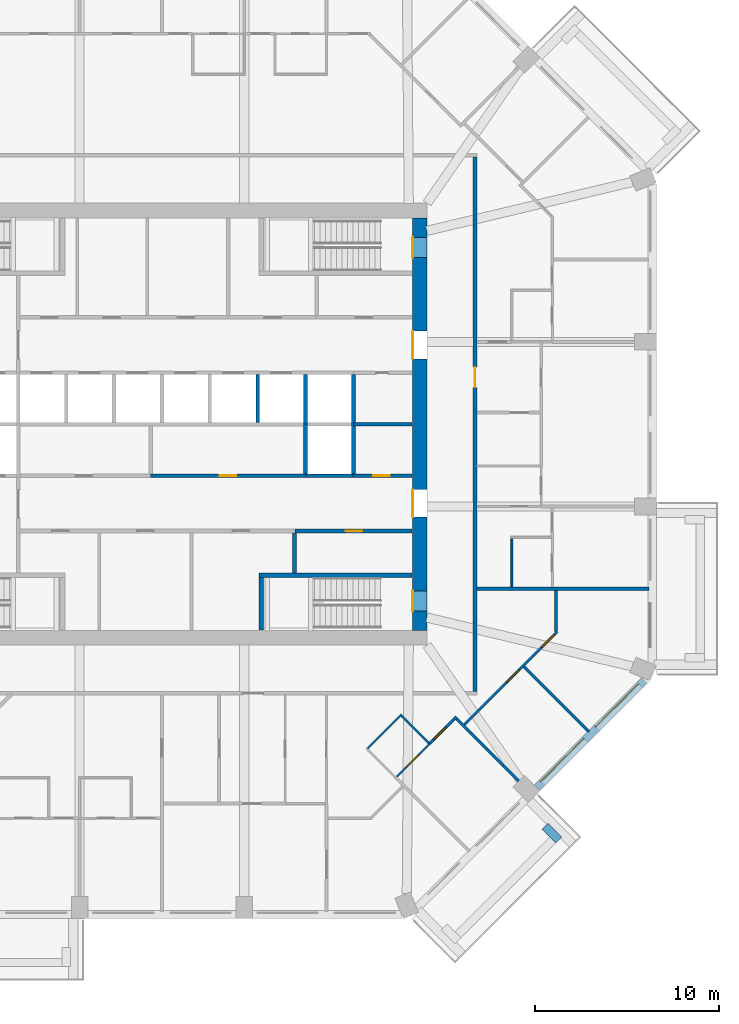
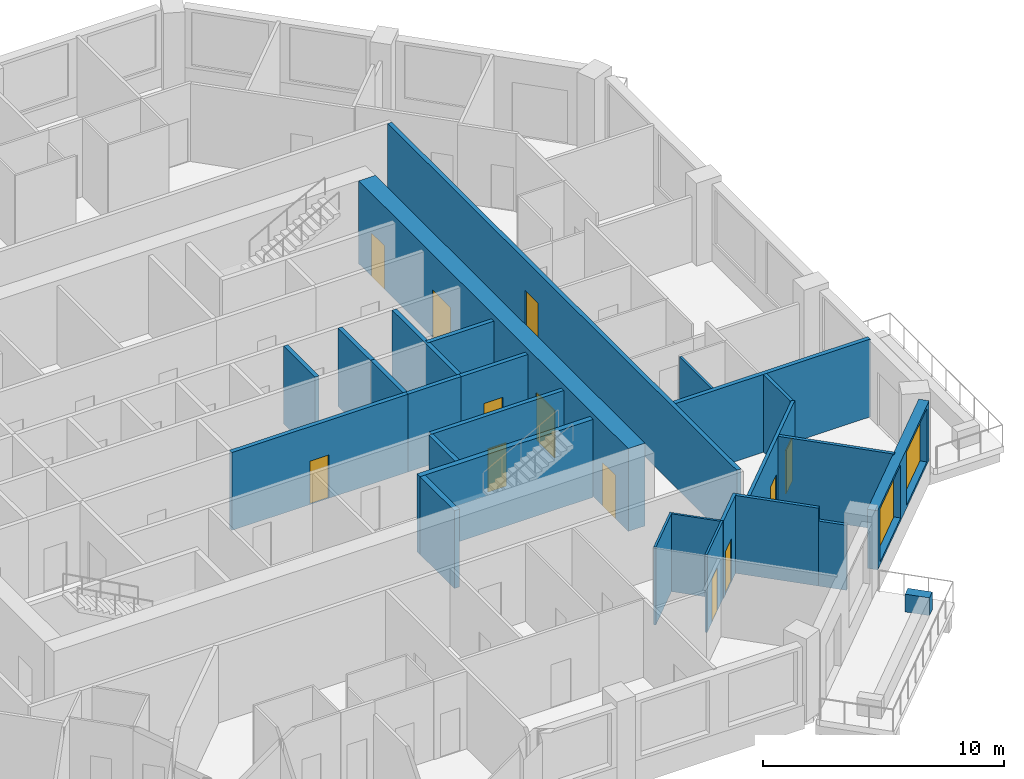
# One storey, part 6 of 12: 27 walls, 12 doors, 2 windows, 14 openings.
"""IFC4 building model written with IfcOpenShell, lengths in metres."""

from ifc_helpers import new_model, si_unit, direction, frame, frame_2d, origin, place, context, subcontext, project, spatial, rectangle, extrude, material, layer, layer_set, type_object, element, fill, save


model = new_model("IFC4")

# Units and contexts
model_context = context("Model", 3, precision=1e-05, world=origin(), true_north=direction((0.0, 1.0)))
body_context = subcontext(model_context, "Body", "Model", "MODEL_VIEW")
ifc_project = project(units=[si_unit("LENGTHUNIT", "METRE"), si_unit("AREAUNIT", "SQUARE_METRE"), si_unit("VOLUMEUNIT", "CUBIC_METRE"), si_unit("PLANEANGLEUNIT", "RADIAN"), si_unit("MASSUNIT", "GRAM", prefix="KILO")], contexts=[model_context])

# Site, building, storey
site_placement = place(None, origin())
site = spatial("IfcSite", under=ifc_project, at=site_placement, CompositionType="ELEMENT")
building_placement = place(site_placement, origin())
building = spatial("IfcBuilding", under=site, at=building_placement, Name="Msitu Wima Residences", CompositionType="ELEMENT")
storey_placement = place(building_placement, frame((0.0, 0.0, 127.5)))
storey = spatial("IfcBuildingStorey", under=building, at=storey_placement, Name="L29", CompositionType="ELEMENT", Elevation=127.5)

# Wall
ifc_material_1 = material(Name="Facing brick")
ifc_layer_1 = layer(ifc_material_1, 0.06494140625, Name="Facing brick")
ifc_material_2 = material(Name="Concrete C40/50", Category="concrete")
ifc_layer_2 = layer(ifc_material_2, 0.156005859375, Name="Concrete C40/50")
ifc_material_3 = material(Name="Waterproofing membrane")
ifc_layer_3 = layer(ifc_material_3, 0.00390625, Name="Waterproofing membrane")
ifc_material_4 = material(Name="Planting soil and planting")
ifc_layer_4 = layer(ifc_material_4, 0.22509765625, Name="Planting soil and planting")
ifc_layer_set_1 = layer_set([ifc_layer_1, ifc_layer_2, ifc_layer_3, ifc_layer_4], Name="Concrete C40/50")
wall_type_1 = type_object("IfcWallType", Name="Balcony planter PLANTER PL450", PredefinedType="USERDEFINED", material=ifc_layer_set_1)
wall_1_placement = place(storey_placement, frame((20.804443359375, -21.829833984375, 0.0), z_axis=(0.0, 0.0, 1.0), x_axis=(0.707106781187, -0.707106781187, 0.0)))
element("IfcWall", 1, at=wall_1_placement, inside=storey, type_object=wall_type_1, Name="Balcony planter SE0 L29", ObjectType="PLANTER", PredefinedType="USERDEFINED", context=body_context, shape_type="SweptSolid", body=[
    extrude(rectangle(XDim=1.050048828125, YDim=0.449951171875, at=frame_2d((0.52490234375, 0.0))), origin(), (0.0, 0.0, 1.0), 0.89990234375),
])

# Wall, openings, windows
ifc_material_5 = material(Name="Brick (red buff mix)", Category="masonry")
ifc_layer_5 = layer(ifc_material_5, 0.449951171875)
ifc_layer_set_2 = layer_set([ifc_layer_5], Name="Brick (red buff mix)")
wall_type_2 = type_object("IfcWallType", Name="Brick infill wall BW450", PredefinedType="SOLIDWALL", material=ifc_layer_set_2)
wall_2_placement = place(storey_placement, frame((20.380126953125, -19.743896484375, 0.89990234375), z_axis=(0.0, 0.0, 1.0), x_axis=(0.707106781187, 0.707106781187, 0.0)))
wall_2 = element("IfcWall", 2, at=wall_2_placement, inside=storey, type_object=wall_type_2, Name="Brick infill wall L29 SE1", PredefinedType="SOLIDWALL", context=body_context, shape_type="SweptSolid", body=[
    extrude(rectangle(XDim=8.251220703125, YDim=0.449951171875, at=frame_2d((4.12548828125, 0.0))), origin(), (0.0, 0.0, 1.0), 3.0),
])
opening_1_placement = place(wall_2_placement, frame((0.37548828125, 0.0, 0.14990234375)))
opening_1 = element("IfcOpeningElement", 3, at=opening_1_placement, cuts=wall_2, Name="Opening W27-29.023", PredefinedType="OPENING", context=body_context, shape_type="SweptSolid", body=[
    extrude(rectangle(XDim=3.300048828125, YDim=2.699951171875, at=frame_2d((1.64990234375, 1.35009765625))), frame((0.0, 0.23486328125, 0.0), z_axis=(0.0, -1.0, 0.0), x_axis=(1.0, 0.0, 0.0)), (0.0, 0.0, 1.0), 0.469970703125),
])
opening_2_placement = place(wall_2_placement, frame((4.57568359375, 0.0, 0.14990234375)))
opening_2 = element("IfcOpeningElement", 4, at=opening_2_placement, cuts=wall_2, Name="Opening W27-29.024", PredefinedType="OPENING", context=body_context, shape_type="SweptSolid", body=[
    extrude(rectangle(XDim=3.300048828125, YDim=2.699951171875, at=frame_2d((1.64990234375, 1.35009765625))), frame((0.0, 0.23486328125, 0.0), z_axis=(0.0, -1.0, 0.0), x_axis=(1.0, 0.0, 0.0)), (0.0, 0.0, 1.0), 0.469970703125),
])
ifc_material_6 = material(Name="Anodised aluminium, bronze finish, clear low-emissivity double glazing", Category="aluminium")
window_type = type_object("IfcWindowType", Name="Window W3300x2700", PartitioningType="DOUBLE_PANEL_VERTICAL", PredefinedType="WINDOW", material=ifc_material_6)
window_1_placement = place(opening_1_placement, origin())
window_1 = element("IfcWindow", 5, at=window_1_placement, inside=storey, type_object=window_type, Name="Window L29 SE1.1", OverallHeight=2.699951171875, OverallWidth=3.300048828125, PartitioningType="SINGLE_PANEL", PredefinedType="WINDOW", context=body_context, shape_type="SweptSolid", body=[
    extrude(rectangle(XDim=3.300048828125, YDim=2.699951171875, at=frame_2d((1.64990234375, 1.35009765625))), frame((0.0, 0.135009765625, 0.0), z_axis=(0.0, -1.0, 0.0), x_axis=(1.0, 0.0, 0.0)), (0.0, 0.0, 1.0), 0.06005859375),
])
fill(opening_1, window_1)
window_2_placement = place(opening_2_placement, origin())
window_2 = element("IfcWindow", 6, at=window_2_placement, inside=storey, type_object=window_type, Name="Window L29 SE1.2", OverallHeight=2.699951171875, OverallWidth=3.300048828125, PartitioningType="SINGLE_PANEL", PredefinedType="WINDOW", context=body_context, shape_type="SweptSolid", body=[
    extrude(rectangle(XDim=3.300048828125, YDim=2.699951171875, at=frame_2d((1.64990234375, 1.35009765625))), frame((0.0, 0.135009765625, 0.0), z_axis=(0.0, -1.0, 0.0), x_axis=(1.0, 0.0, 0.0)), (0.0, 0.0, 1.0), 0.06005859375),
])
fill(opening_2, window_2)

# Wall, openings, doors
ifc_material_7 = material(Name="Concrete C70/85", Category="concrete")
ifc_layer_6 = layer(ifc_material_7, 0.800048828125)
ifc_layer_set_3 = layer_set([ifc_layer_6], Name="Concrete C70/85")
wall_type_3 = type_object("IfcWallType", Name="Core wall CW800 C70/85", PredefinedType="SHEAR", material=ifc_layer_set_3)
wall_3_placement = place(storey_placement, frame((14.0, -11.199951171875, 0.0), z_axis=(0.0, 0.0, 1.0), x_axis=(0.0, 1.0, 0.0)))
wall_3 = element("IfcWall", 7, at=wall_3_placement, inside=storey, type_object=wall_type_3, Name="Core wall", PredefinedType="SHEAR", context=body_context, shape_type="SweptSolid", body=[
    extrude(rectangle(XDim=22.39990234375, YDim=0.800048828125, at=frame_2d((11.199951171875, 0.0))), origin(), (0.0, 0.0, 1.0), 4.199951171875),
])
opening_3_placement = place(wall_3_placement, frame((20.25, 0.0, 0.0)))
opening_3 = element("IfcOpeningElement", 8, at=opening_3_placement, cuts=wall_3, Name="Opening D27-29.035", PredefinedType="OPENING", context=body_context, shape_type="SweptSolid", body=[
    extrude(rectangle(XDim=1.10009765625, YDim=2.199951171875, at=frame_2d((0.550048828125, 1.10009765625))), frame((0.0, 0.409912109375, 0.0), z_axis=(0.0, -1.0, 0.0), x_axis=(1.0, 0.0, 0.0)), (0.0, 0.0, 1.0), 0.820068359375),
])
opening_4_placement = place(wall_3_placement, frame((1.050048828125, 0.0, 0.0)))
opening_4 = element("IfcOpeningElement", 9, at=opening_4_placement, cuts=wall_3, Name="Opening D27-29.036", PredefinedType="OPENING", context=body_context, shape_type="SweptSolid", body=[
    extrude(rectangle(XDim=1.10009765625, YDim=2.199951171875, at=frame_2d((0.550048828125, 1.10009765625))), frame((0.0, 0.409912109375, 0.0), z_axis=(0.0, -1.0, 0.0), x_axis=(1.0, 0.0, 0.0)), (0.0, 0.0, 1.0), 0.820068359375),
])
opening_5_placement = place(wall_3_placement, frame((14.75, 0.0, 0.0)))
opening_5 = element("IfcOpeningElement", 10, at=opening_5_placement, cuts=wall_3, Name="Opening D27-29.025", PredefinedType="OPENING", context=body_context, shape_type="SweptSolid", body=[
    extrude(rectangle(XDim=1.5, YDim=2.39990234375, at=frame_2d((0.75, 1.199951171875))), frame((0.0, 0.409912109375, 0.0), z_axis=(0.0, -1.0, 0.0), x_axis=(1.0, 0.0, 0.0)), (0.0, 0.0, 1.0), 0.820068359375),
])
opening_6_placement = place(wall_3_placement, frame((6.14990234375, 0.0, 0.0)))
opening_6 = element("IfcOpeningElement", 11, at=opening_6_placement, cuts=wall_3, Name="Opening D27-29.026", PredefinedType="OPENING", context=body_context, shape_type="SweptSolid", body=[
    extrude(rectangle(XDim=1.5, YDim=2.39990234375, at=frame_2d((0.75, 1.199951171875))), frame((0.0, 0.409912109375, 0.0), z_axis=(0.0, -1.0, 0.0), x_axis=(1.0, 0.0, 0.0)), (0.0, 0.0, 1.0), 0.820068359375),
])
ifc_material_8 = material(Name="Steel framed glazed door, fire resisting", Category="steel")
door_type_1 = type_object("IfcDoorType", Name="Lobby door D07 1500x2400", OperationType="DOUBLE_DOOR_SINGLE_SWING", PredefinedType="DOOR", material=ifc_material_8)
door_1_placement = place(opening_5_placement, origin())
door_1 = element("IfcDoor", 12, at=door_1_placement, inside=storey, type_object=door_type_1, Name="Lobby door", OperationType="DOUBLE_DOOR_SINGLE_SWING", OverallHeight=2.39990234375, OverallWidth=1.5, PredefinedType="DOOR", context=body_context, shape_type="SweptSolid", body=[
    extrude(rectangle(XDim=1.5, YDim=2.39990234375, at=frame_2d((0.75, 1.199951171875))), frame((0.0, 0.39501953125, 0.0), z_axis=(0.0, -1.0, 0.0), x_axis=(1.0, 0.0, 0.0)), (0.0, 0.0, 1.0), 0.050048828125),
])
fill(opening_5, door_1)
door_2_placement = place(opening_6_placement, origin())
door_2 = element("IfcDoor", 13, at=door_2_placement, inside=storey, type_object=door_type_1, Name="Lobby door", OperationType="DOUBLE_DOOR_SINGLE_SWING", OverallHeight=2.39990234375, OverallWidth=1.5, PredefinedType="DOOR", context=body_context, shape_type="SweptSolid", body=[
    extrude(rectangle(XDim=1.5, YDim=2.39990234375, at=frame_2d((0.75, 1.199951171875))), frame((0.0, 0.39501953125, 0.0), z_axis=(0.0, -1.0, 0.0), x_axis=(1.0, 0.0, 0.0)), (0.0, 0.0, 1.0), 0.050048828125),
])
fill(opening_6, door_2)
ifc_material_9 = material(Name="Steel door, fire resisting, panic bar", Category="steel")
door_type_2 = type_object("IfcDoorType", Name="Stair door D06 1100x2200", OperationType="SINGLE_SWING_LEFT", PredefinedType="DOOR", material=ifc_material_9)
door_3_placement = place(opening_3_placement, origin())
door_3 = element("IfcDoor", 14, at=door_3_placement, inside=storey, type_object=door_type_2, Name="Stair door", OperationType="SINGLE_SWING_LEFT", OverallHeight=2.199951171875, OverallWidth=1.10009765625, PredefinedType="DOOR", context=body_context, shape_type="SweptSolid", body=[
    extrude(rectangle(XDim=1.10009765625, YDim=2.199951171875, at=frame_2d((0.550048828125, 1.10009765625))), frame((0.0, 0.39501953125, 0.0), z_axis=(0.0, -1.0, 0.0), x_axis=(1.0, 0.0, 0.0)), (0.0, 0.0, 1.0), 0.050048828125),
])
fill(opening_3, door_3)
door_4_placement = place(opening_4_placement, origin())
door_4 = element("IfcDoor", 15, at=door_4_placement, inside=storey, type_object=door_type_2, Name="Stair door", OperationType="SINGLE_SWING_RIGHT", OverallHeight=2.199951171875, OverallWidth=1.10009765625, PredefinedType="DOOR", context=body_context, shape_type="SweptSolid", body=[
    extrude(rectangle(XDim=1.10009765625, YDim=2.199951171875, at=frame_2d((0.550048828125, 1.10009765625))), frame((0.0, 0.39501953125, 0.0), z_axis=(0.0, -1.0, 0.0), x_axis=(1.0, 0.0, 0.0)), (0.0, 0.0, 1.0), 0.050048828125),
])
fill(opening_4, door_4)

# Wall, opening, door
ifc_material_10 = material(Name="Plaster")
ifc_layer_7 = layer(ifc_material_10, 0.011962890625, Name="Plaster")
ifc_material_11 = material(Name="Concrete blockwork", Category="masonry")
ifc_layer_8 = layer(ifc_material_11, 0.176025390625, Name="Concrete blockwork")
ifc_layer_9 = layer(ifc_material_10, 0.011962890625, Name="Plaster")
ifc_layer_set_4 = layer_set([ifc_layer_7, ifc_layer_8, ifc_layer_9], Name="Concrete blockwork")
wall_type_4 = type_object("IfcWallType", Name="Corridor wall FW200", PredefinedType="PARTITIONING", material=ifc_layer_set_4)
wall_4_placement = place(storey_placement, frame((17.0, -14.5, 0.0), z_axis=(0.0, 0.0, 1.0), x_axis=(0.0, 1.0, 0.0)))
wall_4 = element("IfcWall", 16, at=wall_4_placement, inside=storey, type_object=wall_type_4, Name="Corridor wall", PredefinedType="PARTITIONING", context=body_context, shape_type="SweptSolid", body=[
    extrude(rectangle(XDim=29.0, YDim=0.199951171875, at=frame_2d((14.5, 0.0))), origin(), (0.0, 0.0, 1.0), 3.949951171875),
])
opening_7_placement = place(wall_4_placement, frame((16.5, 0.0, 0.0)))
opening_7 = element("IfcOpeningElement", 17, at=opening_7_placement, cuts=wall_4, Name="Opening D27-29.008", PredefinedType="OPENING", context=body_context, shape_type="SweptSolid", body=[
    extrude(rectangle(XDim=1.10009765625, YDim=2.39990234375, at=frame_2d((0.550048828125, 1.199951171875))), frame((0.0, 0.10986328125, 0.0), z_axis=(0.0, -1.0, 0.0), x_axis=(1.0, 0.0, 0.0)), (0.0, 0.0, 1.0), 0.219970703125),
])
ifc_material_12 = material(Name="Timber flush door, fire resisting, self-closing", Category="wood")
door_type_3 = type_object("IfcDoorType", Name="Flat entrance door D01 1100x2400", OperationType="SINGLE_SWING_LEFT", PredefinedType="DOOR", material=ifc_material_12)
door_5_placement = place(opening_7_placement, origin())
door_5 = element("IfcDoor", 18, at=door_5_placement, inside=storey, type_object=door_type_3, Name="Flat entrance door", OperationType="SINGLE_SWING_LEFT", OverallHeight=2.39990234375, OverallWidth=1.10009765625, PredefinedType="DOOR", context=body_context, shape_type="SweptSolid", body=[
    extrude(rectangle(XDim=1.10009765625, YDim=2.39990234375, at=frame_2d((0.550048828125, 1.199951171875))), frame((0.0, 0.02490234375, 0.0), z_axis=(0.0, -1.0, 0.0), x_axis=(1.0, 0.0, 0.0)), (0.0, 0.0, 1.0), 0.050048828125),
])
fill(opening_7, door_5)

ifc_layer_10 = layer(ifc_material_10, 0.011962890625, Name="Plaster")
ifc_layer_11 = layer(ifc_material_11, 0.1259765625, Name="Concrete blockwork")
ifc_layer_12 = layer(ifc_material_10, 0.011962890625, Name="Plaster")
ifc_layer_set_5 = layer_set([ifc_layer_10, ifc_layer_11, ifc_layer_12], Name="Concrete blockwork")
wall_type_5 = type_object("IfcWallType", Name="Partition PW150", PredefinedType="PARTITIONING", material=ifc_layer_set_5)
wall_5_placement = place(storey_placement, frame((14.547119140625, -17.339111328125, 0.0), z_axis=(0.0, 0.0, 1.0), x_axis=(0.707106781187, 0.707106781187, 0.0)))
wall_5 = element("IfcWall", 19, at=wall_5_placement, inside=storey, type_object=wall_type_5, Name="Partition", PredefinedType="PARTITIONING", context=body_context, shape_type="SweptSolid", body=[
    extrude(rectangle(XDim=2.049072265625, YDim=0.14990234375, at=frame_2d((1.0244140625, 0.0))), origin(), (0.0, 0.0, 1.0), 3.949951171875),
])
opening_8_placement = place(wall_5_placement, frame((0.300048828125, 0.0, 0.0)))
opening_8 = element("IfcOpeningElement", 20, at=opening_8_placement, cuts=wall_5, Name="Opening D27-29.075", PredefinedType="OPENING", context=body_context, shape_type="SweptSolid", body=[
    extrude(rectangle(XDim=0.949951171875, YDim=2.199951171875, at=frame_2d((0.47509765625, 1.10009765625))), frame((0.0, 0.0849609375, 0.0), z_axis=(0.0, -1.0, 0.0), x_axis=(1.0, 0.0, 0.0)), (0.0, 0.0, 1.0), 0.169921875),
])
ifc_material_13 = material(Name="Timber flush door", Category="wood")
door_type_4 = type_object("IfcDoorType", Name="Room door D12 950x2200", OperationType="SINGLE_SWING_LEFT", PredefinedType="DOOR", material=ifc_material_13)
door_6_placement = place(opening_8_placement, origin())
door_6 = element("IfcDoor", 21, at=door_6_placement, inside=storey, type_object=door_type_4, Name="Room door", OperationType="SINGLE_SWING_LEFT", OverallHeight=2.199951171875, OverallWidth=0.949951171875, PredefinedType="DOOR", context=body_context, shape_type="SweptSolid", body=[
    extrude(rectangle(XDim=0.949951171875, YDim=2.199951171875, at=frame_2d((0.47509765625, 1.10009765625))), frame((0.0, 0.02490234375, 0.0), z_axis=(0.0, -1.0, 0.0), x_axis=(1.0, 0.0, 0.0)), (0.0, 0.0, 1.0), 0.050048828125),
])
fill(opening_8, door_6)

# Walls
wall_6_placement = place(storey_placement, frame((15.99609375, -15.99609375, 0.0), z_axis=(0.0, 0.0, 1.0), x_axis=(0.707106781187, -0.707106781187, 0.0)))
element("IfcWall", 22, at=wall_6_placement, inside=storey, type_object=wall_type_5, Name="Partition", PredefinedType="PARTITIONING", context=body_context, shape_type="SweptSolid", body=[
    extrude(rectangle(XDim=3.56591796875, YDim=0.14990234375, at=frame_2d((1.782958984375, 0.0))), origin(), (0.0, 0.0, 1.0), 3.949951171875),
])
wall_7_placement = place(storey_placement, frame((18.517578125, -18.517578125, 0.0), z_axis=(0.0, 0.0, 1.0), x_axis=(0.707106781187, -0.707106781187, 0.0)))
element("IfcWall", 23, at=wall_7_placement, inside=storey, type_object=wall_type_5, Name="Partition", PredefinedType="PARTITIONING", context=body_context, shape_type="SweptSolid", body=[
    extrude(rectangle(XDim=1.209228515625, YDim=0.14990234375, at=frame_2d((0.6044921875, 0.0))), origin(), (0.0, 0.0, 1.0), 3.300048828125),
])

# Wall, openings, doors
wall_8_placement = place(storey_placement, frame((16.42041015625, -16.314453125, 0.0), z_axis=(0.0, 0.0, 1.0), x_axis=(0.707106781187, 0.707106781187, 0.0)))
wall_8 = element("IfcWall", 24, at=wall_8_placement, inside=storey, type_object=wall_type_5, Name="Partition", PredefinedType="PARTITIONING", context=body_context, shape_type="SweptSolid", body=[
    extrude(rectangle(XDim=7.117431640625, YDim=0.14990234375, at=frame_2d((3.55859375, 0.0))), origin(), (0.0, 0.0, 1.0), 3.949951171875),
])
opening_9_placement = place(wall_8_placement, frame((3.25, 0.0, 0.0)))
opening_9 = element("IfcOpeningElement", 25, at=opening_9_placement, cuts=wall_8, Name="Opening D27-29.074", PredefinedType="OPENING", context=body_context, shape_type="SweptSolid", body=[
    extrude(rectangle(XDim=0.949951171875, YDim=2.199951171875, at=frame_2d((0.47509765625, 1.10009765625))), frame((0.0, 0.0849609375, 0.0), z_axis=(0.0, -1.0, 0.0), x_axis=(1.0, 0.0, 0.0)), (0.0, 0.0, 1.0), 0.169921875),
])
opening_10_placement = place(wall_8_placement, frame((5.949951171875, 0.0, 0.0)))
opening_10 = element("IfcOpeningElement", 26, at=opening_10_placement, cuts=wall_8, Name="Opening D27-29.077", PredefinedType="OPENING", context=body_context, shape_type="SweptSolid", body=[
    extrude(rectangle(XDim=0.949951171875, YDim=2.199951171875, at=frame_2d((0.47509765625, 1.10009765625))), frame((0.0, 0.0849609375, 0.0), z_axis=(0.0, -1.0, 0.0), x_axis=(1.0, 0.0, 0.0)), (0.0, 0.0, 1.0), 0.169921875),
])
door_7_placement = place(opening_9_placement, origin())
door_7 = element("IfcDoor", 27, at=door_7_placement, inside=storey, type_object=door_type_4, Name="Room door", OperationType="SINGLE_SWING_LEFT", OverallHeight=2.199951171875, OverallWidth=0.949951171875, PredefinedType="DOOR", context=body_context, shape_type="SweptSolid", body=[
    extrude(rectangle(XDim=0.949951171875, YDim=2.199951171875, at=frame_2d((0.47509765625, 1.10009765625))), frame((0.0, 0.02490234375, 0.0), z_axis=(0.0, -1.0, 0.0), x_axis=(1.0, 0.0, 0.0)), (0.0, 0.0, 1.0), 0.050048828125),
])
fill(opening_9, door_7)
door_8_placement = place(opening_10_placement, origin())
door_8 = element("IfcDoor", 28, at=door_8_placement, inside=storey, type_object=door_type_4, Name="Room door", OperationType="SINGLE_SWING_RIGHT", OverallHeight=2.199951171875, OverallWidth=0.949951171875, PredefinedType="DOOR", context=body_context, shape_type="SweptSolid", body=[
    extrude(rectangle(XDim=0.949951171875, YDim=2.199951171875, at=frame_2d((0.47509765625, 1.10009765625))), frame((0.0, 0.02490234375, 0.0), z_axis=(0.0, -1.0, 0.0), x_axis=(1.0, 0.0, 0.0)), (0.0, 0.0, 1.0), 0.050048828125),
])
fill(opening_10, door_8)

# Walls
wall_9_placement = place(storey_placement, frame((19.6689453125, -13.171875, 0.0), z_axis=(0.0, 0.0, 1.0), x_axis=(0.707106781187, -0.707106781187, 0.0)))
element("IfcWall", 29, at=wall_9_placement, inside=storey, type_object=wall_type_5, Name="Partition", PredefinedType="PARTITIONING", context=body_context, shape_type="SweptSolid", body=[
    extrude(rectangle(XDim=4.980224609375, YDim=0.14990234375, at=frame_2d((2.490234375, 0.0))), origin(), (0.0, 0.0, 1.0), 3.949951171875),
])
wall_10_placement = place(storey_placement, frame((21.39990234375, -11.259765625, 0.0), z_axis=(0.0, 0.0, 1.0), x_axis=(0.0, 1.0, 0.0)))
element("IfcWall", 30, at=wall_10_placement, inside=storey, type_object=wall_type_5, Name="Partition", PredefinedType="PARTITIONING", context=body_context, shape_type="SweptSolid", body=[
    extrude(rectangle(XDim=2.222412109375, YDim=0.14990234375, at=frame_2d((1.111328125, 0.0))), origin(), (0.0, 0.0, 1.0), 3.949951171875),
])
ifc_layer_13 = layer(ifc_material_10, 0.011962890625, Name="Plaster")
ifc_material_14 = material(Name="Dense concrete blockwork", Category="masonry")
ifc_layer_14 = layer(ifc_material_14, 0.176025390625, Name="Dense concrete blockwork")
ifc_layer_15 = layer(ifc_material_10, 0.011962890625, Name="Plaster")
ifc_layer_set_6 = layer_set([ifc_layer_13, ifc_layer_14, ifc_layer_15], Name="Dense concrete blockwork")
wall_type_6 = type_object("IfcWallType", Name="Party wall PW200", PredefinedType="PARTITIONING", material=ifc_layer_set_6)
wall_11_placement = place(storey_placement, frame((17.10009765625, -8.937255859375, 0.0), z_axis=(0.0, 0.0, 1.0), x_axis=(1.0, 0.0, 0.0)))
element("IfcWall", 31, at=wall_11_placement, inside=storey, type_object=wall_type_6, Name="Party wall", PredefinedType="PARTITIONING", context=body_context, shape_type="SweptSolid", body=[
    extrude(rectangle(XDim=9.35498046875, YDim=0.199951171875, at=frame_2d((4.677490234375, 0.0))), origin(), (0.0, 0.0, 1.0), 3.949951171875),
])

# Wall, opening, door
ifc_layer_16 = layer(ifc_material_10, 0.011962890625, Name="Plaster")
ifc_material_15 = material(Name="Reinforced concrete blockwork", Category="masonry")
ifc_layer_17 = layer(ifc_material_15, 0.176025390625, Name="Reinforced concrete blockwork")
ifc_layer_18 = layer(ifc_material_10, 0.011962890625, Name="Plaster")
ifc_layer_set_7 = layer_set([ifc_layer_16, ifc_layer_17, ifc_layer_18], Name="Reinforced concrete blockwork")
wall_type_7 = type_object("IfcWallType", Name="Plant and riser wall PL200", PredefinedType="PARTITIONING", material=ifc_layer_set_7)
wall_12_placement = place(storey_placement, frame((-0.6201171875, -2.800048828125, 0.0), z_axis=(0.0, 0.0, 1.0), x_axis=(1.0, 0.0, 0.0)))
wall_12 = element("IfcWall", 32, at=wall_12_placement, inside=storey, type_object=wall_type_7, Name="Plant and riser wall", PredefinedType="PARTITIONING", context=body_context, shape_type="SweptSolid", body=[
    extrude(rectangle(XDim=8.440185546875, YDim=0.199951171875, at=frame_2d((4.22021484375, 0.0))), origin(), (0.0, 0.0, 1.0), 3.949951171875),
])
opening_11_placement = place(wall_12_placement, frame((3.75, 0.0, 0.0)))
opening_11 = element("IfcOpeningElement", 33, at=opening_11_placement, cuts=wall_12, Name="Opening D27-29.030", PredefinedType="OPENING", context=body_context, shape_type="SweptSolid", body=[
    extrude(rectangle(XDim=0.89990234375, YDim=2.199951171875, at=frame_2d((0.449951171875, 1.10009765625))), frame((0.0, 0.10986328125, 0.0), z_axis=(0.0, -1.0, 0.0), x_axis=(1.0, 0.0, 0.0)), (0.0, 0.0, 1.0), 0.219970703125),
])
door_type_5 = type_object("IfcDoorType", Name="Service door D05 900x2200", OperationType="SINGLE_SWING_LEFT", PredefinedType="DOOR", material=ifc_material_13)
door_9_placement = place(opening_11_placement, origin())
door_9 = element("IfcDoor", 34, at=door_9_placement, inside=storey, type_object=door_type_5, Name="Service door", OperationType="SINGLE_SWING_LEFT", OverallHeight=2.199951171875, OverallWidth=0.89990234375, PredefinedType="DOOR", context=body_context, shape_type="SweptSolid", body=[
    extrude(rectangle(XDim=0.89990234375, YDim=2.199951171875, at=frame_2d((0.449951171875, 1.10009765625))), frame((0.0, 0.02490234375, 0.0), z_axis=(0.0, -1.0, 0.0), x_axis=(1.0, 0.0, 0.0)), (0.0, 0.0, 1.0), 0.050048828125),
])
fill(opening_11, door_9)

wall_13_placement = place(storey_placement, frame((7.219970703125, -5.800048828125, 0.0), z_axis=(0.0, 0.0, 1.0), x_axis=(1.0, 0.0, 0.0)))
wall_13 = element("IfcWall", 35, at=wall_13_placement, inside=storey, type_object=wall_type_7, Name="Plant and riser wall", PredefinedType="PARTITIONING", context=body_context, shape_type="SweptSolid", body=[
    extrude(rectangle(XDim=6.35009765625, YDim=0.199951171875, at=frame_2d((3.175048828125, 0.0))), origin(), (0.0, 0.0, 1.0), 3.949951171875),
])
opening_12_placement = place(wall_13_placement, frame((2.75, 0.0, 0.0)))
opening_12 = element("IfcOpeningElement", 36, at=opening_12_placement, cuts=wall_13, Name="Opening D27-29.024", PredefinedType="OPENING", context=body_context, shape_type="SweptSolid", body=[
    extrude(rectangle(XDim=0.89990234375, YDim=2.199951171875, at=frame_2d((0.449951171875, 1.10009765625))), frame((0.0, 0.10986328125, 0.0), z_axis=(0.0, -1.0, 0.0), x_axis=(1.0, 0.0, 0.0)), (0.0, 0.0, 1.0), 0.219970703125),
])
door_10_placement = place(opening_12_placement, origin())
door_10 = element("IfcDoor", 37, at=door_10_placement, inside=storey, type_object=door_type_5, Name="Service door", OperationType="SINGLE_SWING_RIGHT", OverallHeight=2.199951171875, OverallWidth=0.89990234375, PredefinedType="DOOR", context=body_context, shape_type="SweptSolid", body=[
    extrude(rectangle(XDim=0.89990234375, YDim=2.199951171875, at=frame_2d((0.449951171875, 1.10009765625))), frame((0.0, 0.02490234375, 0.0), z_axis=(0.0, -1.0, 0.0), x_axis=(1.0, 0.0, 0.0)), (0.0, 0.0, 1.0), 0.050048828125),
])
fill(opening_12, door_10)

# Wall
wall_14_placement = place(storey_placement, frame((7.199951171875, -8.074951171875, 0.0), z_axis=(0.0, 0.0, 1.0), x_axis=(0.0, 1.0, 0.0)))
element("IfcWall", 38, at=wall_14_placement, inside=storey, type_object=wall_type_7, Name="Plant and riser wall", PredefinedType="PARTITIONING", context=body_context, shape_type="SweptSolid", body=[
    extrude(rectangle(XDim=2.175048828125, YDim=0.199951171875, at=frame_2d((1.08740234375, 0.0))), origin(), (0.0, 0.0, 1.0), 3.949951171875),
])

# Wall, opening, door
wall_15_placement = place(storey_placement, frame((10.3798828125, -2.800048828125, 0.0), z_axis=(0.0, 0.0, 1.0), x_axis=(1.0, 0.0, 0.0)))
wall_15 = element("IfcWall", 39, at=wall_15_placement, inside=storey, type_object=wall_type_7, Name="Plant and riser wall", PredefinedType="PARTITIONING", context=body_context, shape_type="SweptSolid", body=[
    extrude(rectangle(XDim=3.190185546875, YDim=0.199951171875, at=frame_2d((1.59521484375, 0.0))), origin(), (0.0, 0.0, 1.0), 3.949951171875),
])
opening_13_placement = place(wall_15_placement, frame((1.10009765625, 0.0, 0.0)))
opening_13 = element("IfcOpeningElement", 40, at=opening_13_placement, cuts=wall_15, Name="Opening D27-29.011", PredefinedType="OPENING", context=body_context, shape_type="SweptSolid", body=[
    extrude(rectangle(XDim=0.89990234375, YDim=2.199951171875, at=frame_2d((0.449951171875, 1.10009765625))), frame((0.0, 0.10986328125, 0.0), z_axis=(0.0, -1.0, 0.0), x_axis=(1.0, 0.0, 0.0)), (0.0, 0.0, 1.0), 0.219970703125),
])
door_11_placement = place(opening_13_placement, origin())
door_11 = element("IfcDoor", 41, at=door_11_placement, inside=storey, type_object=door_type_5, Name="Service door", OperationType="SINGLE_SWING_LEFT", OverallHeight=2.199951171875, OverallWidth=0.89990234375, PredefinedType="DOOR", context=body_context, shape_type="SweptSolid", body=[
    extrude(rectangle(XDim=0.89990234375, YDim=2.199951171875, at=frame_2d((0.449951171875, 1.10009765625))), frame((0.0, 0.02490234375, 0.0), z_axis=(0.0, -1.0, 0.0), x_axis=(1.0, 0.0, 0.0)), (0.0, 0.0, 1.0), 0.050048828125),
])
fill(opening_13, door_11)

# Walls
wall_16_placement = place(storey_placement, frame((10.39990234375, 0.0, 0.0), z_axis=(0.0, 0.0, 1.0), x_axis=(1.0, 0.0, 0.0)))
element("IfcWall", 42, at=wall_16_placement, inside=storey, type_object=wall_type_7, Name="Plant and riser wall", PredefinedType="PARTITIONING", context=body_context, shape_type="SweptSolid", body=[
    extrude(rectangle(XDim=3.170166015625, YDim=0.199951171875, at=frame_2d((1.5849609375, 0.0))), origin(), (0.0, 0.0, 1.0), 3.949951171875),
])
ifc_material_16 = material(Name="Fire-rated board")
ifc_layer_19 = layer(ifc_material_16, 0.02490234375, Name="Fire-rated board")
ifc_material_17 = material(Name="Light-gauge stud framing with mineral wool")
ifc_layer_20 = layer(ifc_material_17, 0.14990234375, Name="Light-gauge stud framing with mineral wool")
ifc_layer_21 = layer(ifc_material_16, 0.02490234375, Name="Fire-rated board")
ifc_layer_set_8 = layer_set([ifc_layer_19, ifc_layer_20, ifc_layer_21], Name="Light-gauge stud framing with mineral wool")
wall_type_8 = type_object("IfcWallType", Name="Shaft wall SH200", PredefinedType="PARTITIONING", material=ifc_layer_set_8)
wall_17_placement = place(storey_placement, frame((5.199951171875, 0.10009765625, 0.0), z_axis=(0.0, 0.0, 1.0), x_axis=(0.0, 1.0, 0.0)))
element("IfcWall", 43, at=wall_17_placement, inside=storey, type_object=wall_type_8, Name="Shaft wall", PredefinedType="PARTITIONING", context=body_context, shape_type="SweptSolid", body=[
    extrude(rectangle(XDim=2.599853515625, YDim=0.199951171875, at=frame_2d((1.2998046875, 0.0))), origin(), (0.0, 0.0, 1.0), 3.949951171875),
])
wall_18_placement = place(storey_placement, frame((7.800048828125, -2.699951171875, 0.0), z_axis=(0.0, 0.0, 1.0), x_axis=(0.0, 1.0, 0.0)))
element("IfcWall", 44, at=wall_18_placement, inside=storey, type_object=wall_type_8, Name="Shaft wall", PredefinedType="PARTITIONING", context=body_context, shape_type="SweptSolid", body=[
    extrude(rectangle(XDim=2.699951171875, YDim=0.199951171875, at=frame_2d((1.35009765625, 0.0))), origin(), (0.0, 0.0, 1.0), 3.949951171875),
])
wall_19_placement = place(storey_placement, frame((7.820068359375, -2.800048828125, 0.0), z_axis=(0.0, 0.0, 1.0), x_axis=(1.0, 0.0, 0.0)))
element("IfcWall", 45, at=wall_19_placement, inside=storey, type_object=wall_type_8, Name="Shaft wall", PredefinedType="PARTITIONING", context=body_context, shape_type="SweptSolid", body=[
    extrude(rectangle(XDim=2.559814453125, YDim=0.199951171875, at=frame_2d((1.27978515625, 0.0))), origin(), (0.0, 0.0, 1.0), 3.949951171875),
])
wall_20_placement = place(storey_placement, frame((7.800048828125, 0.0, 0.0), z_axis=(0.0, 0.0, 1.0), x_axis=(0.0, 1.0, 0.0)))
element("IfcWall", 46, at=wall_20_placement, inside=storey, type_object=wall_type_8, Name="Shaft wall", PredefinedType="PARTITIONING", context=body_context, shape_type="SweptSolid", body=[
    extrude(rectangle(XDim=2.699951171875, YDim=0.199951171875, at=frame_2d((1.35009765625, 0.0))), origin(), (0.0, 0.0, 1.0), 3.949951171875),
])
wall_21_placement = place(storey_placement, frame((10.39990234375, -2.699951171875, 0.0), z_axis=(0.0, 0.0, 1.0), x_axis=(0.0, 1.0, 0.0)))
element("IfcWall", 47, at=wall_21_placement, inside=storey, type_object=wall_type_8, Name="Shaft wall", PredefinedType="PARTITIONING", context=body_context, shape_type="SweptSolid", body=[
    extrude(rectangle(XDim=5.39990234375, YDim=0.199951171875, at=frame_2d((2.699951171875, 0.0))), origin(), (0.0, 0.0, 1.0), 3.949951171875),
])
ifc_material_18 = material(Name="Concrete C50/60", Category="concrete")
ifc_layer_22 = layer(ifc_material_18, 0.25)
ifc_layer_set_9 = layer_set([ifc_layer_22], Name="Concrete C50/60")
wall_type_9 = type_object("IfcWallType", Name="Stair enclosure wall SW250", PredefinedType="SHEAR", material=ifc_layer_set_9)
wall_22_placement = place(storey_placement, frame((5.39990234375, -11.169921875, 0.0), z_axis=(0.0, 0.0, 1.0), x_axis=(0.0, 1.0, 0.0)))
element("IfcWall", 48, at=wall_22_placement, inside=storey, type_object=wall_type_9, Name="Stair enclosure wall", PredefinedType="SHEAR", context=body_context, shape_type="SweptSolid", body=[
    extrude(rectangle(XDim=2.844970703125, YDim=0.25, at=frame_2d((1.42236328125, 0.0))), origin(), (0.0, 0.0, 1.0), 3.949951171875),
])
wall_23_placement = place(storey_placement, frame((5.27490234375, -8.199951171875, 0.0), z_axis=(0.0, 0.0, 1.0), x_axis=(1.0, 0.0, 0.0)))
element("IfcWall", 49, at=wall_23_placement, inside=storey, type_object=wall_type_9, Name="Stair enclosure wall", PredefinedType="SHEAR", context=body_context, shape_type="SweptSolid", body=[
    extrude(rectangle(XDim=8.295166015625, YDim=0.25, at=frame_2d((4.1474609375, 0.0))), origin(), (0.0, 0.0, 1.0), 3.949951171875),
])
ifc_material_19 = material(Name="Ceramic tiles")
ifc_layer_23 = layer(ifc_material_19, 0.008056640625, Name="Ceramic tiles")
ifc_material_20 = material(Name="Moisture-resistant board")
ifc_layer_24 = layer(ifc_material_20, 0.012451171875, Name="Moisture-resistant board")
ifc_layer_25 = layer(ifc_material_17, 0.06689453125, Name="Light-gauge stud framing with mineral wool")
ifc_layer_26 = layer(ifc_material_20, 0.012451171875, Name="Moisture-resistant board")
ifc_layer_set_10 = layer_set([ifc_layer_23, ifc_layer_24, ifc_layer_25, ifc_layer_26], Name="Light-gauge stud framing with mineral wool")
wall_type_10 = type_object("IfcWallType", Name="Wet wall PW100", PredefinedType="PARTITIONING", material=ifc_layer_set_10)
wall_24_placement = place(storey_placement, frame((11.17431640625, -17.6005859375, 0.0), z_axis=(0.0, 0.0, 1.0), x_axis=(0.707106781187, 0.707106781187, 0.0)))
element("IfcWall", 50, at=wall_24_placement, inside=storey, type_object=wall_type_10, Name="Wet wall", PredefinedType="PARTITIONING", context=body_context, shape_type="SweptSolid", body=[
    extrude(rectangle(XDim=2.599853515625, YDim=0.10009765625, at=frame_2d((1.2998046875, 0.0))), origin(), (0.0, 0.0, 1.0), 3.949951171875),
])

# Wall, opening, door
wall_25_placement = place(storey_placement, frame((12.74755859375, -19.138671875, 0.0), z_axis=(0.0, 0.0, 1.0), x_axis=(0.707106781187, 0.707106781187, 0.0)))
wall_25 = element("IfcWall", 51, at=wall_25_placement, inside=storey, type_object=wall_type_10, Name="Wet wall", PredefinedType="PARTITIONING", context=body_context, shape_type="SweptSolid", body=[
    extrude(rectangle(XDim=2.544921875, YDim=0.10009765625, at=frame_2d((1.2724609375, 0.0))), origin(), (0.0, 0.0, 1.0), 3.949951171875),
])
opening_14_placement = place(wall_25_placement, frame((0.75, 0.0, 0.0)))
opening_14 = element("IfcOpeningElement", 52, at=opening_14_placement, cuts=wall_25, Name="Opening D27-29.076", PredefinedType="OPENING", context=body_context, shape_type="SweptSolid", body=[
    extrude(rectangle(XDim=0.89990234375, YDim=2.199951171875, at=frame_2d((0.449951171875, 1.10009765625))), frame((0.0, 0.06005859375, 0.0), z_axis=(0.0, -1.0, 0.0), x_axis=(1.0, 0.0, 0.0)), (0.0, 0.0, 1.0), 0.1201171875),
])
ifc_material_21 = material(Name="Timber flush door, moisture resistant", Category="wood")
door_type_6 = type_object("IfcDoorType", Name="Bathroom door D03 900x2200", OperationType="SINGLE_SWING_LEFT", PredefinedType="DOOR", material=ifc_material_21)
door_12_placement = place(opening_14_placement, origin())
door_12 = element("IfcDoor", 53, at=door_12_placement, inside=storey, type_object=door_type_6, Name="Bathroom door", OperationType="SINGLE_SWING_LEFT", OverallHeight=2.199951171875, OverallWidth=0.89990234375, PredefinedType="DOOR", context=body_context, shape_type="SweptSolid", body=[
    extrude(rectangle(XDim=0.89990234375, YDim=2.199951171875, at=frame_2d((0.449951171875, 1.10009765625))), frame((0.0, 0.02490234375, 0.0), z_axis=(0.0, -1.0, 0.0), x_axis=(1.0, 0.0, 0.0)), (0.0, 0.0, 1.0), 0.050048828125),
])
fill(opening_14, door_12)

# Walls
wall_26_placement = place(storey_placement, frame((13.0126953125, -15.8330078125, 0.0), z_axis=(0.0, 0.0, 1.0), x_axis=(0.707164905125, -0.70704865247, 0.0)))
element("IfcWall", 54, at=wall_26_placement, inside=storey, type_object=wall_type_10, Name="Wet wall", PredefinedType="PARTITIONING", context=body_context, shape_type="SweptSolid", body=[
    extrude(rectangle(XDim=2.10009765625, YDim=0.10009765625, at=frame_2d((1.050048828125, 0.0))), origin(), (0.0, 0.0, 1.0), 3.949951171875),
])
wall_27_placement = place(storey_placement, frame((19.0, -8.837158203125, 0.0), z_axis=(0.0, 0.0, 1.0), x_axis=(0.0, 1.0, 0.0)))
element("IfcWall", 55, at=wall_27_placement, inside=storey, type_object=wall_type_10, Name="Wet wall", PredefinedType="PARTITIONING", context=body_context, shape_type="SweptSolid", body=[
    extrude(rectangle(XDim=2.64990234375, YDim=0.10009765625, at=frame_2d((1.324951171875, 0.0))), origin(), (0.0, 0.0, 1.0), 3.949951171875),
])

save(model, "model.ifc")
